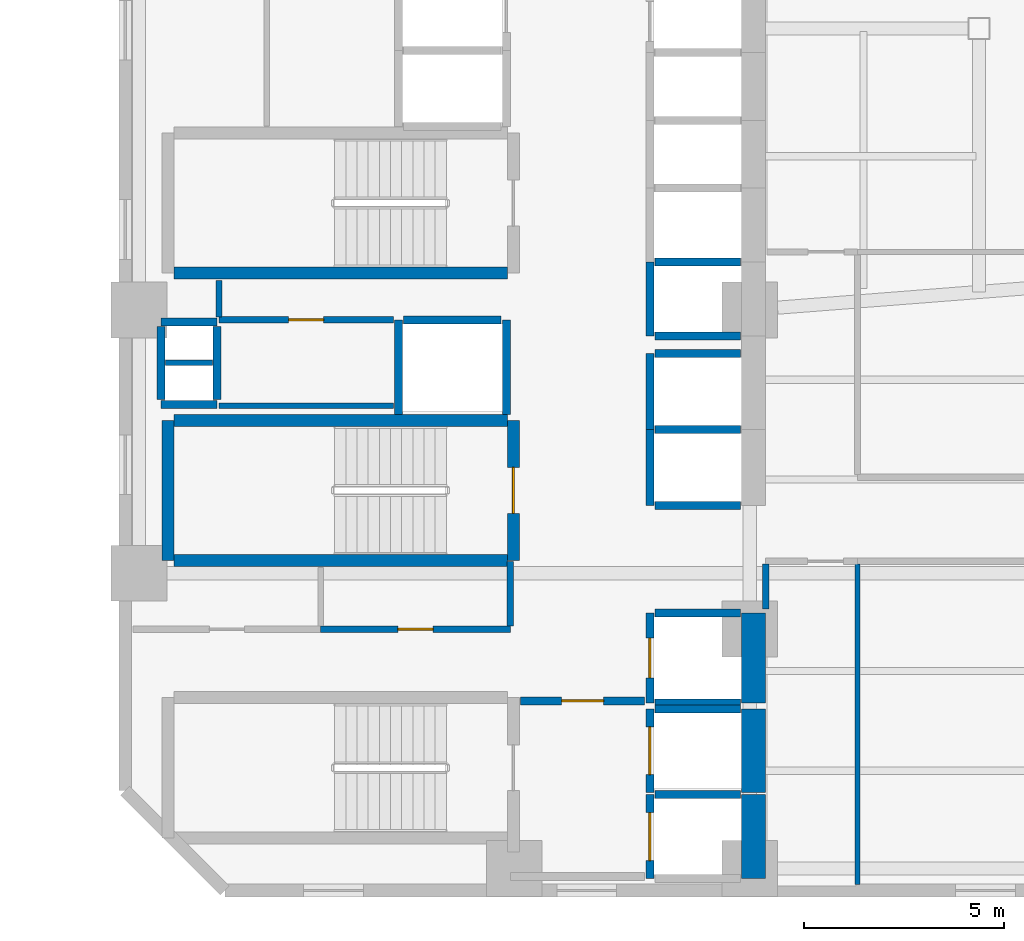
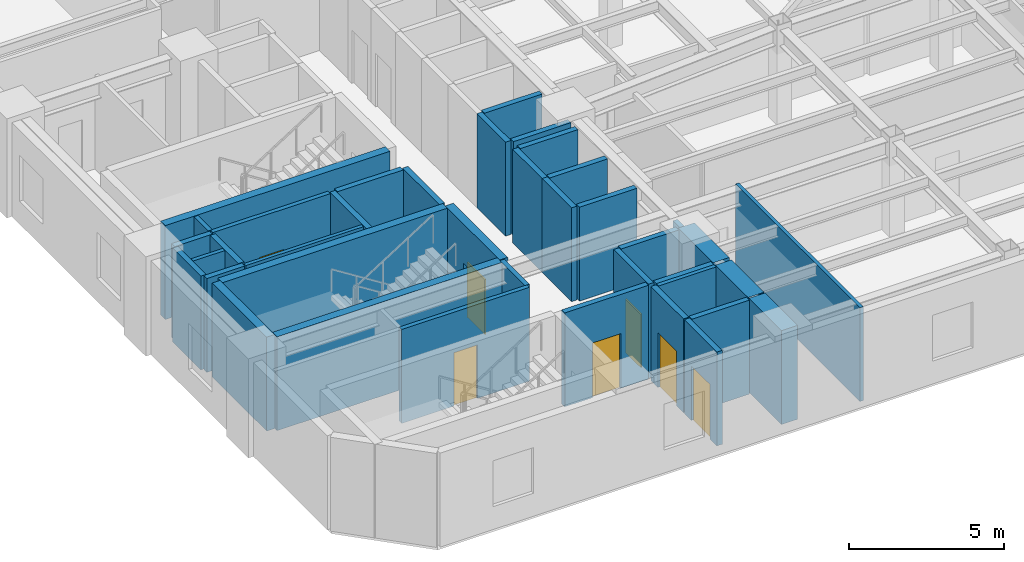
# One storey, part 3 of 10: 39 walls, 7 doors, 7 openings.
"""IFC4 building model written with IfcOpenShell, lengths in metres."""

from ifc_helpers import new_model, si_unit, direction, frame, frame_2d, origin, place, context, subcontext, project, spatial, rectangle, extrude, material, layer, layer_set, type_object, element, fill, save


model = new_model("IFC4")

# Units and contexts
model_context = context("Model", 3, precision=1e-05, world=origin(), true_north=direction((0.0, 1.0)))
body_context = subcontext(model_context, "Body", "Model", "MODEL_VIEW")
ifc_project = project(units=[si_unit("LENGTHUNIT", "METRE"), si_unit("AREAUNIT", "SQUARE_METRE"), si_unit("VOLUMEUNIT", "CUBIC_METRE"), si_unit("PLANEANGLEUNIT", "RADIAN"), si_unit("MASSUNIT", "GRAM", prefix="KILO")], contexts=[model_context])

# Site, building, storey
site_placement = place(None, origin())
site = spatial("IfcSite", under=ifc_project, at=site_placement, CompositionType="ELEMENT")
building_placement = place(site_placement, origin())
building = spatial("IfcBuilding", under=site, at=building_placement, Name="Mawjaban Terraces University", CompositionType="ELEMENT")
storey_placement = place(building_placement, frame((0.0, 0.0, 73.89990234375)))
storey = spatial("IfcBuildingStorey", under=building, at=storey_placement, Name="L17", CompositionType="ELEMENT", Elevation=73.89990234375)

# Walls
ifc_material_1 = material(Name="Concrete C70/85", Category="concrete")
ifc_layer_1 = layer(ifc_material_1, 0.60009765625)
ifc_layer_set_1 = layer_set([ifc_layer_1], Name="Concrete C70/85")
wall_type_1 = type_object("IfcWallType", Name="CoreShearWall_600", PredefinedType="SHEAR", material=ifc_layer_set_1)
wall_1_placement = place(storey_placement, frame((37.75, 0.300048828125, 0.0), z_axis=(0.0, 0.0, 1.0), x_axis=(0.0, 1.0, 0.0)))
element("IfcWall", 1, at=wall_1_placement, inside=storey, type_object=wall_type_1, Name="L17 Lift FL-1 Hoistway Wall East", PredefinedType="SHEAR", context=body_context, shape_type="SweptSolid", body=[
    extrude(rectangle(XDim=2.099853515625, YDim=0.60009765625, at=frame_2d((1.0498046875, 0.0))), origin(), (0.0, 0.0, 1.0), 3.690185546875),
])
wall_2_placement = place(storey_placement, frame((37.75, 2.449951171875, 0.0), z_axis=(0.0, 0.0, 1.0), x_axis=(0.0, 1.0, 0.0)))
element("IfcWall", 2, at=wall_2_placement, inside=storey, type_object=wall_type_1, Name="L17 Lift FL-2 Hoistway Wall East", PredefinedType="SHEAR", context=body_context, shape_type="SweptSolid", body=[
    extrude(rectangle(XDim=2.10009765625, YDim=0.60009765625, at=frame_2d((1.050048828125, 0.0))), origin(), (0.0, 0.0, 1.0), 3.690185546875),
])
wall_3_placement = place(storey_placement, frame((37.75, 4.699951171875, 0.0), z_axis=(0.0, 0.0, 1.0), x_axis=(0.0, 1.0, 0.0)))
element("IfcWall", 3, at=wall_3_placement, inside=storey, type_object=wall_type_1, Name="L17 Lift SL-1 Hoistway Wall East", PredefinedType="SHEAR", context=body_context, shape_type="SweptSolid", body=[
    extrude(rectangle(XDim=2.25, YDim=0.60009765625, at=frame_2d((1.125, 0.0))), origin(), (0.0, 0.0, 1.0), 3.690185546875),
])

# Wall, opening, door
ifc_material_2 = material(Name="Fire-rated gypsum board on steel stud", Category="steel")
ifc_layer_2 = layer(ifc_material_2, 0.159912109375)
ifc_layer_set_2 = layer_set([ifc_layer_2], Name="Fire-rated gypsum board on steel stud")
wall_type_2 = type_object("IfcWallType", Name="CorridorPartition_160", PredefinedType="PARTITIONING", material=ifc_layer_set_2)
wall_4_placement = place(storey_placement, frame((24.35009765625, 14.300048828125, 0.0), z_axis=(0.0, 0.0, 1.0), x_axis=(1.0, 0.0, 0.0)))
wall_4 = element("IfcWall", 4, at=wall_4_placement, inside=storey, type_object=wall_type_2, Name="L17 Core Riser Access Passage Partition 2", PredefinedType="PARTITIONING", context=body_context, shape_type="SweptSolid", body=[
    extrude(rectangle(XDim=4.369873046875, YDim=0.159912109375, at=frame_2d((2.18505859375, 0.0))), origin(), (0.0, 0.0, 1.0), 3.690185546875),
])
opening_1_placement = place(wall_4_placement, frame((1.7451171875, 0.0, 0.0)))
opening_1 = element("IfcOpeningElement", 5, at=opening_1_placement, cuts=wall_4, Name="Opening ID-088", PredefinedType="OPENING", context=body_context, shape_type="SweptSolid", body=[
    extrude(rectangle(XDim=0.8798828125, YDim=2.10009765625, at=frame_2d((0.43994140625, 1.050048828125))), frame((0.0, 0.08984375, 0.0), z_axis=(0.0, -1.0, 0.0), x_axis=(1.0, 0.0, 0.0)), (0.0, 0.0, 1.0), 0.179931640625),
])
ifc_material_3 = material(Name="Powder-coated steel frame and solid acoustic timber leaf", Category="steel")
door_type_1 = type_object("IfcDoorType", Name="ToiletDoor_880x2100", OperationType="NOTDEFINED", PredefinedType="DOOR", material=ifc_material_3)
door_1_placement = place(opening_1_placement, origin())
door_1 = element("IfcDoor", 6, at=door_1_placement, inside=storey, type_object=door_type_1, Name="L17 Ablution Room Door", OperationType="SINGLE_SWING_RIGHT", OverallHeight=2.10009765625, OverallWidth=0.8798828125, PredefinedType="DOOR", context=body_context, shape_type="SweptSolid", body=[
    extrude(rectangle(XDim=0.8798828125, YDim=2.10009765625, at=frame_2d((0.43994140625, 1.050048828125))), frame((0.0, 0.02490234375, 0.0), z_axis=(0.0, -1.0, 0.0), x_axis=(1.0, 0.0, 0.0)), (0.0, 0.0, 1.0), 0.050048828125),
])
fill(opening_1, door_1)

wall_5_placement = place(storey_placement, frame((31.64990234375, 6.550048828125, 0.0), z_axis=(0.0, 0.0, 1.0), x_axis=(-1.0, 0.0, 0.0)))
wall_5 = element("IfcWall", 7, at=wall_5_placement, inside=storey, type_object=wall_type_2, Name="L17 Core Washroom Lobby Partition 9", PredefinedType="PARTITIONING", context=body_context, shape_type="SweptSolid", body=[
    extrude(rectangle(XDim=4.75, YDim=0.159912109375, at=frame_2d((2.375, 0.0))), origin(), (0.0, 0.0, 1.0), 3.690185546875),
])
opening_2_placement = place(wall_5_placement, frame((1.93505859375, 0.0, 0.0)))
opening_2 = element("IfcOpeningElement", 8, at=opening_2_placement, cuts=wall_5, Name="Opening ID-088", PredefinedType="OPENING", context=body_context, shape_type="SweptSolid", body=[
    extrude(rectangle(XDim=0.8798828125, YDim=2.10009765625, at=frame_2d((0.43994140625, 1.050048828125))), frame((0.0, 0.08984375, 0.0), z_axis=(0.0, -1.0, 0.0), x_axis=(1.0, 0.0, 0.0)), (0.0, 0.0, 1.0), 0.179931640625),
])
door_2_placement = place(opening_2_placement, origin())
door_2 = element("IfcDoor", 9, at=door_2_placement, inside=storey, type_object=door_type_1, Name="L17 Accessible Toilet Door", OperationType="SINGLE_SWING_LEFT", OverallHeight=2.10009765625, OverallWidth=0.8798828125, PredefinedType="DOOR", context=body_context, shape_type="SweptSolid", body=[
    extrude(rectangle(XDim=0.8798828125, YDim=2.10009765625, at=frame_2d((0.43994140625, 1.050048828125))), frame((0.0, 0.02490234375, 0.0), z_axis=(0.0, -1.0, 0.0), x_axis=(1.0, 0.0, 0.0)), (0.0, 0.0, 1.0), 0.050048828125),
])
fill(opening_2, door_2)

# Walls
wall_6_placement = place(storey_placement, frame((24.35009765625, 15.2900390625, 0.0), z_axis=(0.0, 0.0, 1.0), x_axis=(0.0, -1.0, 0.0)))
element("IfcWall", 10, at=wall_6_placement, inside=storey, type_object=wall_type_2, Name="L17 Core Riser Access Passage Partition 22", PredefinedType="PARTITIONING", context=body_context, shape_type="SweptSolid", body=[
    extrude(rectangle(XDim=0.9150390625, YDim=0.159912109375, at=frame_2d((0.45751953125, 0.0))), origin(), (0.0, 0.0, 1.0), 3.690185546875),
])
wall_7_placement = place(storey_placement, frame((31.64990234375, 8.239990234375, 0.0), z_axis=(0.0, 0.0, 1.0), x_axis=(0.0, -1.0, 0.0)))
element("IfcWall", 11, at=wall_7_placement, inside=storey, type_object=wall_type_2, Name="L17 Passenger Lift Lobby Partition 28", PredefinedType="PARTITIONING", context=body_context, shape_type="SweptSolid", body=[
    extrude(rectangle(XDim=1.614990234375, YDim=0.159912109375, at=frame_2d((0.8076171875, 0.0))), origin(), (0.0, 0.0, 1.0), 3.690185546875),
])
wall_8_placement = place(storey_placement, frame((38.050048828125, 7.050048828125, 0.0), z_axis=(0.0, 0.0, 1.0), x_axis=(0.0, 1.0, 0.0)))
element("IfcWall", 12, at=wall_8_placement, inside=storey, type_object=wall_type_2, Name="L17 Core Stair and Lift Lobby East Partition 31", PredefinedType="PARTITIONING", context=body_context, shape_type="SweptSolid", body=[
    extrude(rectangle(XDim=1.125, YDim=0.159912109375, at=frame_2d((0.5625, 0.0))), origin(), (0.0, 0.0, 1.0), 3.05517578125),
])

# Wall, opening, door
ifc_material_4 = material(Name="Concrete C40/50", Category="concrete")
ifc_layer_3 = layer(ifc_material_4, 0.199951171875)
ifc_layer_set_3 = layer_set([ifc_layer_3], Name="Concrete C40/50")
wall_type_3 = type_object("IfcWallType", Name="FireLobbyWall_200", PredefinedType="SOLIDWALL", material=ifc_layer_set_3)
wall_9_placement = place(storey_placement, frame((35.14990234375, 2.39990234375, 0.0), z_axis=(0.0, 0.0, 1.0), x_axis=(0.0, -1.0, 0.0)))
wall_9 = element("IfcWall", 13, at=wall_9_placement, inside=storey, type_object=wall_type_3, Name="L17 Lift FL-1 Hoistway Wall West", PredefinedType="SOLIDWALL", context=body_context, shape_type="SweptSolid", body=[
    extrude(rectangle(XDim=2.099853515625, YDim=0.199951171875, at=frame_2d((1.0498046875, 0.0))), origin(), (0.0, 0.0, 1.0), 3.690185546875),
])
opening_3_placement = place(wall_9_placement, frame((0.449951171875, 0.0, 0.0)))
opening_3 = element("IfcOpeningElement", 14, at=opening_3_placement, cuts=wall_9, Name="Opening LD-FL-1", PredefinedType="OPENING", context=body_context, shape_type="SweptSolid", body=[
    extrude(rectangle(XDim=1.199951171875, YDim=2.14990234375, at=frame_2d((0.60009765625, 1.074951171875))), frame((0.0, 0.10986328125, 0.0), z_axis=(0.0, -1.0, 0.0), x_axis=(1.0, 0.0, 0.0)), (0.0, 0.0, 1.0), 0.219970703125),
])
ifc_material_5 = material(Name="Powder-coated steel frame and fire-rated steel-faced leaf", Category="steel")
door_type_2 = type_object("IfcDoorType", Name="LiftLandingFSAE_1200x2150", OperationType="NOTDEFINED", PredefinedType="DOOR", material=ifc_material_5)
door_3_placement = place(opening_3_placement, origin())
door_3 = element("IfcDoor", 15, at=door_3_placement, inside=storey, type_object=door_type_2, Name="L17 Lift FL-1 Sliding Landing Door", OperationType="DOUBLE_DOOR_SLIDING", OverallHeight=2.14990234375, OverallWidth=1.199951171875, PredefinedType="DOOR", context=body_context, shape_type="SweptSolid", body=[
    extrude(rectangle(XDim=1.199951171875, YDim=2.14990234375, at=frame_2d((0.60009765625, 1.074951171875))), frame((0.0, 0.02490234375, 0.0), z_axis=(0.0, -1.0, 0.0), x_axis=(1.0, 0.0, 0.0)), (0.0, 0.0, 1.0), 0.050048828125),
])
fill(opening_3, door_3)

# Wall
wall_10_placement = place(storey_placement, frame((37.419921875, 2.39990234375, 0.0), z_axis=(0.0, 0.0, 1.0), x_axis=(-1.0, 0.0, 0.0)))
element("IfcWall", 16, at=wall_10_placement, inside=storey, type_object=wall_type_3, Name="L17 Lift FL-1 Hoistway Wall North", PredefinedType="SOLIDWALL", context=body_context, shape_type="SweptSolid", body=[
    extrude(rectangle(XDim=2.139892578125, YDim=0.199951171875, at=frame_2d((1.06982421875, 0.0))), origin(), (0.0, 0.0, 1.0), 3.690185546875),
])

# Wall, opening, door
wall_11_placement = place(storey_placement, frame((35.14990234375, 4.550048828125, 0.0), z_axis=(0.0, 0.0, 1.0), x_axis=(0.0, -1.0, 0.0)))
wall_11 = element("IfcWall", 17, at=wall_11_placement, inside=storey, type_object=wall_type_3, Name="L17 Lift FL-2 Hoistway Wall West", PredefinedType="SOLIDWALL", context=body_context, shape_type="SweptSolid", body=[
    extrude(rectangle(XDim=2.10009765625, YDim=0.199951171875, at=frame_2d((1.050048828125, 0.0))), origin(), (0.0, 0.0, 1.0), 3.690185546875),
])
opening_4_placement = place(wall_11_placement, frame((0.449951171875, 0.0, 0.0)))
opening_4 = element("IfcOpeningElement", 18, at=opening_4_placement, cuts=wall_11, Name="Opening LD-FL-2", PredefinedType="OPENING", context=body_context, shape_type="SweptSolid", body=[
    extrude(rectangle(XDim=1.199951171875, YDim=2.14990234375, at=frame_2d((0.60009765625, 1.074951171875))), frame((0.0, 0.10986328125, 0.0), z_axis=(0.0, -1.0, 0.0), x_axis=(1.0, 0.0, 0.0)), (0.0, 0.0, 1.0), 0.219970703125),
])
door_4_placement = place(opening_4_placement, origin())
door_4 = element("IfcDoor", 19, at=door_4_placement, inside=storey, type_object=door_type_2, Name="L17 Lift FL-2 Sliding Landing Door", OperationType="DOUBLE_DOOR_SLIDING", OverallHeight=2.14990234375, OverallWidth=1.199951171875, PredefinedType="DOOR", context=body_context, shape_type="SweptSolid", body=[
    extrude(rectangle(XDim=1.199951171875, YDim=2.14990234375, at=frame_2d((0.60009765625, 1.074951171875))), frame((0.0, 0.02490234375, 0.0), z_axis=(0.0, -1.0, 0.0), x_axis=(1.0, 0.0, 0.0)), (0.0, 0.0, 1.0), 0.050048828125),
])
fill(opening_4, door_4)

# Wall
wall_12_placement = place(storey_placement, frame((37.419921875, 4.550048828125, 0.0), z_axis=(0.0, 0.0, 1.0), x_axis=(-1.0, 0.0, 0.0)))
element("IfcWall", 20, at=wall_12_placement, inside=storey, type_object=wall_type_3, Name="L17 Lift FL-2 Hoistway Wall North", PredefinedType="SOLIDWALL", context=body_context, shape_type="SweptSolid", body=[
    extrude(rectangle(XDim=2.139892578125, YDim=0.199951171875, at=frame_2d((1.06982421875, 0.0))), origin(), (0.0, 0.0, 1.0), 3.690185546875),
])

# Wall, opening, door
wall_13_placement = place(storey_placement, frame((35.14990234375, 6.949951171875, 0.0), z_axis=(0.0, 0.0, 1.0), x_axis=(0.0, -1.0, 0.0)))
wall_13 = element("IfcWall", 21, at=wall_13_placement, inside=storey, type_object=wall_type_3, Name="L17 Lift SL-1 Hoistway Wall West", PredefinedType="SOLIDWALL", context=body_context, shape_type="SweptSolid", body=[
    extrude(rectangle(XDim=2.25, YDim=0.199951171875, at=frame_2d((1.125, 0.0))), origin(), (0.0, 0.0, 1.0), 3.690185546875),
])
opening_5_placement = place(wall_13_placement, frame((0.625, 0.0, 0.0)))
opening_5 = element("IfcOpeningElement", 22, at=opening_5_placement, cuts=wall_13, Name="Opening LD-SL-1", PredefinedType="OPENING", context=body_context, shape_type="SweptSolid", body=[
    extrude(rectangle(XDim=1.0, YDim=2.10009765625, at=frame_2d((0.5, 1.050048828125))), frame((0.0, 0.10986328125, 0.0), z_axis=(0.0, -1.0, 0.0), x_axis=(1.0, 0.0, 0.0)), (0.0, 0.0, 1.0), 0.219970703125),
])
door_type_3 = type_object("IfcDoorType", Name="LiftLandingSliding_1000x2100", OperationType="NOTDEFINED", PredefinedType="DOOR", material=ifc_material_5)
door_5_placement = place(opening_5_placement, origin())
door_5 = element("IfcDoor", 23, at=door_5_placement, inside=storey, type_object=door_type_3, Name="L17 Lift SL-1 Sliding Landing Door", OperationType="DOUBLE_DOOR_SLIDING", OverallHeight=2.10009765625, OverallWidth=1.0, PredefinedType="DOOR", context=body_context, shape_type="SweptSolid", body=[
    extrude(rectangle(XDim=1.0, YDim=2.10009765625, at=frame_2d((0.5, 1.050048828125))), frame((0.0, 0.02490234375, 0.0), z_axis=(0.0, -1.0, 0.0), x_axis=(1.0, 0.0, 0.0)), (0.0, 0.0, 1.0), 0.050048828125),
])
fill(opening_5, door_5)

# Walls
for number, where, z_axis, x_axis, name in (
    (24, (35.280029296875, 4.699951171875, 0.0), (0.0, 0.0, 1.0), (1.0, 0.0, 0.0), "L17 Lift SL-1 Hoistway Wall South"),
    (25, (37.419921875, 6.949951171875, 0.0), (0.0, 0.0, 1.0), (-1.0, 0.0, 0.0), "L17 Lift SL-1 Hoistway Wall North"),
):
    element("IfcWall", number, at=place(storey_placement, frame(where, z_axis=z_axis, x_axis=x_axis)), inside=storey, type_object=wall_type_3, Name=name, PredefinedType="SOLIDWALL", context=body_context, shape_type="SweptSolid", body=[
        extrude(rectangle(XDim=2.139892578125, YDim=0.199951171875, at=frame_2d((1.06982421875, 0.0))), origin(), (0.0, 0.0, 1.0), 3.690185546875),
    ])
wall_14_placement = place(storey_placement, frame((35.14990234375, 11.550048828125, 0.0), z_axis=(0.0, 0.0, 1.0), x_axis=(0.0, -1.0, 0.0)))
element("IfcWall", 26, at=wall_14_placement, inside=storey, type_object=wall_type_3, Name="L17 Lift PL-H1 Hoistway Wall West", PredefinedType="SOLIDWALL", context=body_context, shape_type="SweptSolid", body=[
    extrude(rectangle(XDim=1.900146484375, YDim=0.199951171875, at=frame_2d((0.9501953125, 0.0))), origin(), (0.0, 0.0, 1.0), 3.690185546875),
])
for number, where, z_axis, x_axis, name in (
    (27, (35.280029296875, 9.64990234375, 0.0), (0.0, 0.0, 1.0), (1.0, 0.0, 0.0), "L17 Lift PL-H1 Hoistway Wall South"),
    (28, (37.419921875, 11.550048828125, 0.0), (0.0, 0.0, 1.0), (-1.0, 0.0, 0.0), "L17 Lift PL-H1 Hoistway Wall North"),
):
    element("IfcWall", number, at=place(storey_placement, frame(where, z_axis=z_axis, x_axis=x_axis)), inside=storey, type_object=wall_type_3, Name=name, PredefinedType="SOLIDWALL", context=body_context, shape_type="SweptSolid", body=[
        extrude(rectangle(XDim=2.139892578125, YDim=0.199951171875, at=frame_2d((1.06982421875, 0.0))), origin(), (0.0, 0.0, 1.0), 3.690185546875),
    ])
wall_15_placement = place(storey_placement, frame((35.14990234375, 13.449951171875, 0.0), z_axis=(0.0, 0.0, 1.0), x_axis=(0.0, -1.0, 0.0)))
element("IfcWall", 29, at=wall_15_placement, inside=storey, type_object=wall_type_3, Name="L17 Lift PL-H2 Hoistway Wall West", PredefinedType="SOLIDWALL", context=body_context, shape_type="SweptSolid", body=[
    extrude(rectangle(XDim=1.89990234375, YDim=0.199951171875, at=frame_2d((0.949951171875, 0.0))), origin(), (0.0, 0.0, 1.0), 3.690185546875),
])
wall_16_placement = place(storey_placement, frame((37.419921875, 13.449951171875, 0.0), z_axis=(0.0, 0.0, 1.0), x_axis=(-1.0, 0.0, 0.0)))
element("IfcWall", 30, at=wall_16_placement, inside=storey, type_object=wall_type_3, Name="L17 Lift PL-H2 Hoistway Wall North", PredefinedType="SOLIDWALL", context=body_context, shape_type="SweptSolid", body=[
    extrude(rectangle(XDim=2.139892578125, YDim=0.199951171875, at=frame_2d((1.06982421875, 0.0))), origin(), (0.0, 0.0, 1.0), 3.690185546875),
])
for number, where, z_axis, x_axis, name in (
    (31, (28.85009765625, 14.300048828125, 0.0), (0.0, 0.0, 1.0), (0.0, -1.0, 0.0), "L17 Lift PL-H3 Hoistway Wall West"),
    (32, (31.550048828125, 11.929931640625, 0.0), (0.0, 0.0, 1.0), (0.0, 1.0, 0.0), "L17 Lift PL-H3 Hoistway Wall East"),
):
    element("IfcWall", number, at=place(storey_placement, frame(where, z_axis=z_axis, x_axis=x_axis)), inside=storey, type_object=wall_type_3, Name=name, PredefinedType="SOLIDWALL", context=body_context, shape_type="SweptSolid", body=[
        extrude(rectangle(XDim=2.3701171875, YDim=0.199951171875, at=frame_2d((1.18505859375, 0.0))), origin(), (0.0, 0.0, 1.0), 3.690185546875),
    ])
wall_17_placement = place(storey_placement, frame((31.419921875, 14.300048828125, 0.0), z_axis=(0.0, 0.0, 1.0), x_axis=(-1.0, 0.0, 0.0)))
element("IfcWall", 33, at=wall_17_placement, inside=storey, type_object=wall_type_3, Name="L17 Lift PL-H3 Hoistway Wall North", PredefinedType="SOLIDWALL", context=body_context, shape_type="SweptSolid", body=[
    extrude(rectangle(XDim=2.43994140625, YDim=0.199951171875, at=frame_2d((1.219970703125, 0.0))), origin(), (0.0, 0.0, 1.0), 3.690185546875),
])
wall_18_placement = place(storey_placement, frame((35.14990234375, 15.75, 0.0), z_axis=(0.0, 0.0, 1.0), x_axis=(0.0, -1.0, 0.0)))
element("IfcWall", 34, at=wall_18_placement, inside=storey, type_object=wall_type_3, Name="L17 Lift OL-1 Hoistway Wall West", PredefinedType="SOLIDWALL", context=body_context, shape_type="SweptSolid", body=[
    extrude(rectangle(XDim=1.85009765625, YDim=0.199951171875, at=frame_2d((0.925048828125, 0.0))), origin(), (0.0, 0.0, 1.0), 3.690185546875),
])
for number, where, z_axis, x_axis, name in (
    (35, (35.280029296875, 13.89990234375, 0.0), (0.0, 0.0, 1.0), (1.0, 0.0, 0.0), "L17 Lift OL-1 Hoistway Wall South"),
    (36, (37.419921875, 15.75, 0.0), (0.0, 0.0, 1.0), (-1.0, 0.0, 0.0), "L17 Lift OL-1 Hoistway Wall North"),
):
    element("IfcWall", number, at=place(storey_placement, frame(where, z_axis=z_axis, x_axis=x_axis)), inside=storey, type_object=wall_type_3, Name=name, PredefinedType="SOLIDWALL", context=body_context, shape_type="SweptSolid", body=[
        extrude(rectangle(XDim=2.139892578125, YDim=0.199951171875, at=frame_2d((1.06982421875, 0.0))), origin(), (0.0, 0.0, 1.0), 3.690185546875),
    ])
for number, where, z_axis, x_axis, name in (
    (37, (22.89990234375, 14.25, 0.0), (0.0, 0.0, 1.0), (1.0, 0.0, 0.0), "L17 MEP Riser Shaft Wall N"),
    (38, (22.89990234375, 12.179931640625, 0.0), (0.0, 0.0, 1.0), (1.0, 0.0, 0.0), "L17 MEP Riser Shaft Wall S"),
):
    element("IfcWall", number, at=place(storey_placement, frame(where, z_axis=z_axis, x_axis=x_axis)), inside=storey, type_object=wall_type_3, Name=name, PredefinedType="SOLIDWALL", context=body_context, shape_type="SweptSolid", body=[
        extrude(rectangle(XDim=1.400146484375, YDim=0.199951171875, at=frame_2d((0.7001953125, 0.0))), origin(), (0.0, 0.0, 1.0), 3.690185546875),
    ])
for number, where, z_axis, x_axis, name in (
    (39, (24.300048828125, 12.300048828125, 0.0), (0.0, 0.0, 1.0), (0.0, 1.0, 0.0), "L17 MEP Riser Shaft Wall E"),
    (40, (22.89990234375, 12.300048828125, 0.0), (0.0, 0.0, 1.0), (0.0, 1.0, 0.0), "L17 MEP Riser Shaft Wall W"),
):
    element("IfcWall", number, at=place(storey_placement, frame(where, z_axis=z_axis, x_axis=x_axis)), inside=storey, type_object=wall_type_3, Name=name, PredefinedType="SOLIDWALL", context=body_context, shape_type="SweptSolid", body=[
        extrude(rectangle(XDim=1.829833984375, YDim=0.199951171875, at=frame_2d((0.9150390625, 0.0))), origin(), (0.0, 0.0, 1.0), 3.690185546875),
    ])

# Wall, opening, door
wall_19_placement = place(storey_placement, frame((35.02001953125, 4.75, 0.0), z_axis=(0.0, 0.0, 1.0), x_axis=(-1.0, 0.0, 0.0)))
wall_19 = element("IfcWall", 41, at=wall_19_placement, inside=storey, type_object=wall_type_3, Name="L17 Firefighting Lift Lobby Partition 10", PredefinedType="SOLIDWALL", context=body_context, shape_type="SweptSolid", body=[
    extrude(rectangle(XDim=3.110107421875, YDim=0.199951171875, at=frame_2d((1.55517578125, 0.0))), origin(), (0.0, 0.0, 1.0), 3.690185546875),
])
opening_6_placement = place(wall_19_placement, frame((1.030029296875, 0.0, 0.0)))
opening_6 = element("IfcOpeningElement", 42, at=opening_6_placement, cuts=wall_19, Name="Opening FD-105", PredefinedType="OPENING", context=body_context, shape_type="SweptSolid", body=[
    extrude(rectangle(XDim=1.050048828125, YDim=2.14990234375, at=frame_2d((0.52490234375, 1.074951171875))), frame((0.0, 0.10986328125, 0.0), z_axis=(0.0, -1.0, 0.0), x_axis=(1.0, 0.0, 0.0)), (0.0, 0.0, 1.0), 0.219970703125),
])
door_type_4 = type_object("IfcDoorType", Name="FireLobbyDoor_1050x2150", OperationType="NOTDEFINED", PredefinedType="DOOR", material=ifc_material_5)
door_6_placement = place(opening_6_placement, origin())
door_6 = element("IfcDoor", 43, at=door_6_placement, inside=storey, type_object=door_type_4, Name="L17 Firefighting Lift Lobby Door", OperationType="SINGLE_SWING_LEFT", OverallHeight=2.14990234375, OverallWidth=1.050048828125, PredefinedType="DOOR", context=body_context, shape_type="SweptSolid", body=[
    extrude(rectangle(XDim=1.050048828125, YDim=2.14990234375, at=frame_2d((0.52490234375, 1.074951171875))), frame((0.0, 0.02490234375, 0.0), z_axis=(0.0, -1.0, 0.0), x_axis=(1.0, 0.0, 0.0)), (0.0, 0.0, 1.0), 0.050048828125),
])
fill(opening_6, door_6)

# Walls
ifc_material_6 = material(Name="Moisture-resistant gypsum board on steel stud", Category="steel")
ifc_layer_4 = layer(ifc_material_6, 0.14501953125)
ifc_layer_set_4 = layer_set([ifc_layer_4], Name="Moisture-resistant gypsum board on steel stud")
wall_type_4 = type_object("IfcWallType", Name="LabPartition_145", PredefinedType="PARTITIONING", material=ifc_layer_set_4)
wall_20_placement = place(storey_placement, frame((23.010009765625, 13.22509765625, 0.0), z_axis=(0.0, 0.0, 1.0), x_axis=(1.0, 0.0, 0.0)))
element("IfcWall", 44, at=wall_20_placement, inside=storey, type_object=wall_type_4, Name="L17 MEP Riser Shaft Wall M", PredefinedType="PARTITIONING", context=body_context, shape_type="SweptSolid", body=[
    extrude(rectangle(XDim=1.179931640625, YDim=0.14501953125, at=frame_2d((0.58984375, 0.0))), origin(), (0.0, 0.0, 1.0), 3.690185546875),
])
ifc_material_7 = material(Name="Gypsum plasterboard on steel stud", Category="steel")
ifc_layer_5 = layer(ifc_material_7, 0.125)
ifc_layer_set_5 = layer_set([ifc_layer_5], Name="Gypsum plasterboard on steel stud")
wall_type_5 = type_object("IfcWallType", Name="OfficePartition_125", PredefinedType="PARTITIONING", material=ifc_layer_set_5)
wall_21_placement = place(storey_placement, frame((40.35009765625, 0.155029296875, 0.0), z_axis=(0.0, 0.0, 1.0), x_axis=(0.0, 1.0, 0.0)))
element("IfcWall", 45, at=wall_21_placement, inside=storey, type_object=wall_type_5, Name="L17 Collaborative Study Room 1 Partition 33", PredefinedType="PARTITIONING", context=body_context, shape_type="SweptSolid", body=[
    extrude(rectangle(XDim=8.02001953125, YDim=0.125, at=frame_2d((4.010009765625, 0.0))), origin(), (0.0, 0.0, 1.0), 3.690185546875),
])
ifc_material_8 = material(Name="Concrete C60/75", Category="concrete")
ifc_layer_6 = layer(ifc_material_8, 0.300048828125)
ifc_layer_set_6 = layer_set([ifc_layer_6], Name="Concrete C60/75")
wall_type_6 = type_object("IfcWallType", Name="StairShaftWall_300", PredefinedType="SHEAR", material=ifc_layer_set_6)
for number, where, z_axis, x_axis, name in (
    (46, (23.219970703125, 15.469970703125, 0.0), (0.0, 0.0, 1.0), (1.0, 0.0, 0.0), "L17 ST-2 Stair Shaft Wall 3"),
    (47, (31.580078125, 11.780029296875, 0.0), (0.0, 0.0, 1.0), (-1.0, 0.0, 0.0), "L17 ST-3 Stair Shaft Wall 1"),
):
    element("IfcWall", number, at=place(storey_placement, frame(where, z_axis=z_axis, x_axis=x_axis)), inside=storey, type_object=wall_type_6, Name=name, PredefinedType="SHEAR", context=body_context, shape_type="SweptSolid", body=[
        extrude(rectangle(XDim=8.360107421875, YDim=0.300048828125, at=frame_2d((4.18017578125, 0.0))), origin(), (0.0, 0.0, 1.0), 3.690185546875),
    ])
wall_22_placement = place(storey_placement, frame((23.070068359375, 11.780029296875, 0.0), z_axis=(0.0, 0.0, 1.0), x_axis=(0.0, -1.0, 0.0)))
element("IfcWall", 48, at=wall_22_placement, inside=storey, type_object=wall_type_6, Name="L17 ST-3 Stair Shaft Wall 2", PredefinedType="SHEAR", context=body_context, shape_type="SweptSolid", body=[
    extrude(rectangle(XDim=3.510009765625, YDim=0.300048828125, at=frame_2d((1.7548828125, 0.0))), origin(), (0.0, 0.0, 1.0), 3.690185546875),
])
wall_23_placement = place(storey_placement, frame((23.219970703125, 8.27001953125, 0.0), z_axis=(0.0, 0.0, 1.0), x_axis=(1.0, 0.0, 0.0)))
element("IfcWall", 49, at=wall_23_placement, inside=storey, type_object=wall_type_6, Name="L17 ST-3 Stair Shaft Wall 3", PredefinedType="SHEAR", context=body_context, shape_type="SweptSolid", body=[
    extrude(rectangle(XDim=8.360107421875, YDim=0.300048828125, at=frame_2d((4.18017578125, 0.0))), origin(), (0.0, 0.0, 1.0), 3.690185546875),
])

# Wall, opening, door
wall_24_placement = place(storey_placement, frame((31.72998046875, 8.27001953125, 0.0), z_axis=(0.0, 0.0, 1.0), x_axis=(0.0, 1.0, 0.0)))
wall_24 = element("IfcWall", 50, at=wall_24_placement, inside=storey, type_object=wall_type_6, Name="L17 ST-3 Stair Shaft Wall 4", PredefinedType="SHEAR", context=body_context, shape_type="SweptSolid", body=[
    extrude(rectangle(XDim=3.510009765625, YDim=0.300048828125, at=frame_2d((1.7548828125, 0.0))), origin(), (0.0, 0.0, 1.0), 3.690185546875),
])
opening_7_placement = place(wall_24_placement, frame((1.179931640625, 0.0, 0.0)))
opening_7 = element("IfcOpeningElement", 51, at=opening_7_placement, cuts=wall_24, Name="Opening FD-115", PredefinedType="OPENING", context=body_context, shape_type="SweptSolid", body=[
    extrude(rectangle(XDim=1.14990234375, YDim=2.14990234375, at=frame_2d((0.574951171875, 1.074951171875))), frame((0.0, 0.159912109375, 0.0), z_axis=(0.0, -1.0, 0.0), x_axis=(1.0, 0.0, 0.0)), (0.0, 0.0, 1.0), 0.320068359375),
])
door_type_5 = type_object("IfcDoorType", Name="FireStairDoor_1150x2150", OperationType="NOTDEFINED", PredefinedType="DOOR", material=ifc_material_5)
door_7_placement = place(opening_7_placement, origin())
door_7 = element("IfcDoor", 52, at=door_7_placement, inside=storey, type_object=door_type_5, Name="L17 ST-3 Pressurised Stair Fire Door", OperationType="SINGLE_SWING_RIGHT", OverallHeight=2.14990234375, OverallWidth=1.14990234375, PredefinedType="DOOR", context=body_context, shape_type="SweptSolid", body=[
    extrude(rectangle(XDim=1.14990234375, YDim=2.14990234375, at=frame_2d((0.574951171875, 1.074951171875))), frame((0.0, 0.02490234375, 0.0), z_axis=(0.0, -1.0, 0.0), x_axis=(1.0, 0.0, 0.0)), (0.0, 0.0, 1.0), 0.050048828125),
])
fill(opening_7, door_7)

# Wall
ifc_material_9 = material(Name="Cement-board wet-room partition", Category="masonry")
ifc_layer_7 = layer(ifc_material_9, 0.135009765625)
ifc_layer_set_7 = layer_set([ifc_layer_7], Name="Cement-board wet-room partition")
wall_type_7 = type_object("IfcWallType", Name="WetRoomPartition_135", PredefinedType="PARTITIONING", material=ifc_layer_set_7)
wall_25_placement = place(storey_placement, frame((24.35009765625, 12.14990234375, 0.0), z_axis=(0.0, 0.0, 1.0), x_axis=(1.0, 0.0, 0.0)))
element("IfcWall", 53, at=wall_25_placement, inside=storey, type_object=wall_type_7, Name="L17 Ablution Room Partition 1", PredefinedType="PARTITIONING", context=body_context, shape_type="SweptSolid", body=[
    extrude(rectangle(XDim=4.369873046875, YDim=0.135009765625, at=frame_2d((2.18505859375, 0.0))), origin(), (0.0, 0.0, 1.0), 3.690185546875),
])

save(model, "model.ifc")
